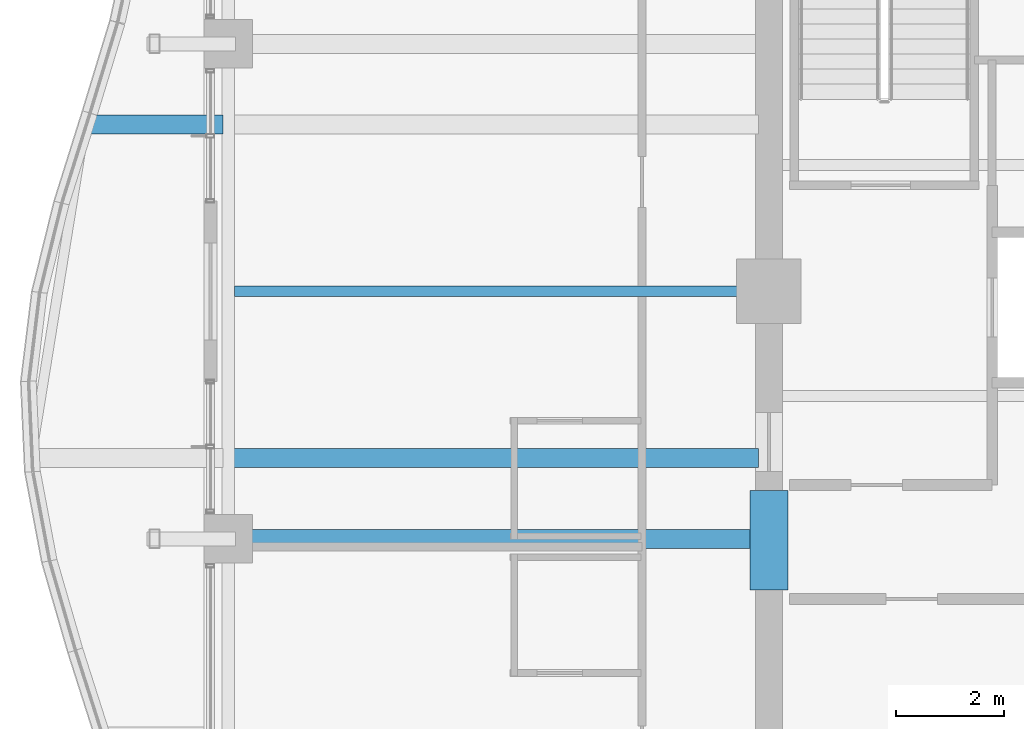
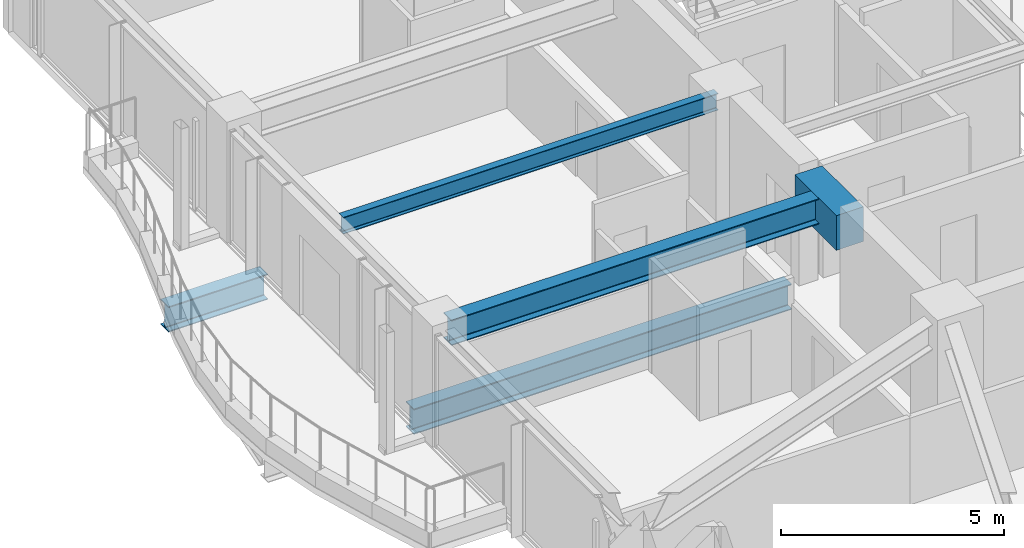
# One storey, part 7 of 35: 5 beams.
"""IFC4 building model written with IfcOpenShell, lengths in metres."""

from ifc_helpers import new_model, si_unit, direction, frame, origin, origin_2d, place, context, subcontext, project, spatial, rectangle, i_section, extrude, material, material_profile, profile_set, type_object, element, save


model = new_model("IFC4")

# Units and contexts
model_context = context("Model", 3, precision=1e-05, world=origin(), true_north=direction((0.0, 1.0)))
body_context = subcontext(model_context, "Body", "Model", "MODEL_VIEW")
ifc_project = project(units=[si_unit("LENGTHUNIT", "METRE"), si_unit("AREAUNIT", "SQUARE_METRE"), si_unit("VOLUMEUNIT", "CUBIC_METRE"), si_unit("PLANEANGLEUNIT", "RADIAN"), si_unit("MASSUNIT", "GRAM", prefix="KILO")], contexts=[model_context])

# Site, building, storey
site_placement = place(None, origin())
site = spatial("IfcSite", under=ifc_project, at=site_placement, CompositionType="ELEMENT")
building_placement = place(site_placement, origin())
building = spatial("IfcBuilding", under=site, at=building_placement, Name="Kolvaren Belvedere", CompositionType="ELEMENT")
storey_placement = place(building_placement, frame((0.0, 0.0, 176.699951171875)))
storey = spatial("IfcBuildingStorey", under=building, at=storey_placement, Name="L51", CompositionType="ELEMENT", Elevation=176.699951171875)

# Beams
ifc_material_1 = material(Name="Structural steel ASTM A992 Grade 50", Category="steel")
ifc_material_profile_1 = material_profile(ifc_material_1, i_section(OverallWidth=0.35498046875, OverallDepth=0.696044921875, WebThickness=0.015380859375, FlangeThickness=0.02490234375, FilletRadius=0.02197265625, at=origin_2d()), Name="W27X146")
ifc_profile_set_1 = profile_set([ifc_material_profile_1], Name="Structural steel ASTM A992 Grade 50")
beam_type_1 = type_object("IfcBeamType", Name="BM-CANT-BAL", PredefinedType="BEAM", material=ifc_profile_set_1)
beam_1_placement = place(storey_placement, frame((-20.044921875, 3.10009765625, -0.56787109375), z_axis=(-1.0, 0.0, 0.0), x_axis=(0.0, -1.0, 0.0)))
element("IfcBeam", 1, at=beam_1_placement, inside=storey, type_object=beam_type_1, Name="L51 Planted Balcony Cantilever BAL-W-2", PredefinedType="BEAM", context=body_context, shape_type="SweptSolid", body=[
    extrude(i_section(OverallWidth=0.35498046875, OverallDepth=0.696044921875, WebThickness=0.015380859375, FlangeThickness=0.02490234375, FilletRadius=0.02197265625, at=origin_2d()), origin(), (0.0, 0.0, 1.0), 2.56884765625),
])
ifc_material_2 = material(Name="Structural steel ASTM A992 Grade 50", Category="steel")
ifc_material_profile_2 = material_profile(ifc_material_2, i_section(OverallWidth=0.35498046875, OverallDepth=0.696044921875, WebThickness=0.015380859375, FlangeThickness=0.02490234375, FilletRadius=0.02197265625, at=origin_2d()), Name="W27X146")
ifc_profile_set_2 = profile_set([ifc_material_profile_2], Name="Structural steel ASTM A992 Grade 50")
beam_type_2 = type_object("IfcBeamType", Name="BM-GIRD-W27X146", PredefinedType="BEAM", material=ifc_profile_set_2)
beam_2_placement = place(storey_placement, frame((-10.090087890625, -3.10009765625, -0.56787109375), z_axis=(-1.0, 0.0, 0.0), x_axis=(0.0, -1.0, 0.0)))
element("IfcBeam", 2, at=beam_2_placement, inside=storey, type_object=beam_type_2, Name="L51 Balcony Interior Back-Span Girder BAL-W-1", PredefinedType="BEAM", context=body_context, shape_type="SweptSolid", body=[
    extrude(i_section(OverallWidth=0.35498046875, OverallDepth=0.696044921875, WebThickness=0.015380859375, FlangeThickness=0.02490234375, FilletRadius=0.02197265625, at=origin_2d()), origin(), (0.0, 0.0, 1.0), 9.764892578125),
])
beam_3_placement = place(storey_placement, frame((-10.14990234375, -4.60009765625, 2.73193359375), z_axis=(-1.0, 0.0, 0.0), x_axis=(0.0, -1.0, 0.0)))
element("IfcBeam", 3, at=beam_3_placement, inside=storey, type_object=beam_type_2, Name="L51 West Radial Girder M", PredefinedType="BEAM", context=body_context, shape_type="SweptSolid", body=[
    extrude(i_section(OverallWidth=0.35498046875, OverallDepth=0.696044921875, WebThickness=0.015380859375, FlangeThickness=0.02490234375, FilletRadius=0.02197265625, at=origin_2d()), origin(), (0.0, 0.0, 1.0), 9.59765625),
])
ifc_material_3 = material(Name="Structural steel ASTM A992 Grade 50", Category="steel")
ifc_material_profile_3 = material_profile(ifc_material_3, i_section(OverallWidth=0.19091796875, OverallDepth=0.4599609375, WebThickness=0.010009765625, FlangeThickness=0.01611328125, FilletRadius=0.014892578125, at=origin_2d()), Name="W18X55")
ifc_profile_set_3 = profile_set([ifc_material_profile_3], Name="Structural steel ASTM A992 Grade 50")
beam_type_3 = type_object("IfcBeamType", Name="BM-JOIST-W18X55", PredefinedType="BEAM", material=ifc_profile_set_3)
beam_4_placement = place(storey_placement, frame((-10.14990234375, 0.0, 2.85009765625), z_axis=(-1.0, 0.0, 0.0), x_axis=(0.0, -1.0, 0.0)))
element("IfcBeam", 4, at=beam_4_placement, inside=storey, type_object=beam_type_3, Name="L51 West Centre Floor Beam", PredefinedType="BEAM", context=body_context, shape_type="SweptSolid", body=[
    extrude(i_section(OverallWidth=0.19091796875, OverallDepth=0.4599609375, WebThickness=0.010009765625, FlangeThickness=0.01611328125, FilletRadius=0.014892578125, at=origin_2d()), origin(), (0.0, 0.0, 1.0), 9.685546875),
])
ifc_material_4 = material(Name="Concrete C60/75", Category="concrete")
ifc_material_profile_4 = material_profile(ifc_material_4, rectangle(XDim=0.699951171875, YDim=0.949951171875, at=origin_2d()), Name="RC 700X950")
ifc_profile_set_4 = profile_set([ifc_material_profile_4], Name="Concrete C60/75")
beam_type_4 = type_object("IfcBeamType", Name="BM-LINT-950", PredefinedType="LINTEL", material=ifc_profile_set_4)
beam_5_placement = place(storey_placement, frame((-9.89990234375, -5.550048828125, 2.60498046875), z_axis=(0.0, 1.0, 0.0), x_axis=(-1.0, 0.0, 0.0)))
element("IfcBeam", 5, at=beam_5_placement, inside=storey, type_object=beam_type_4, Name="L51 West Core Coupling Lintel", PredefinedType="LINTEL", context=body_context, shape_type="SweptSolid", body=[
    extrude(rectangle(XDim=0.699951171875, YDim=0.949951171875, at=origin_2d()), origin(), (0.0, 0.0, 1.0), 1.85009765625),
])

save(model, "model.ifc")
